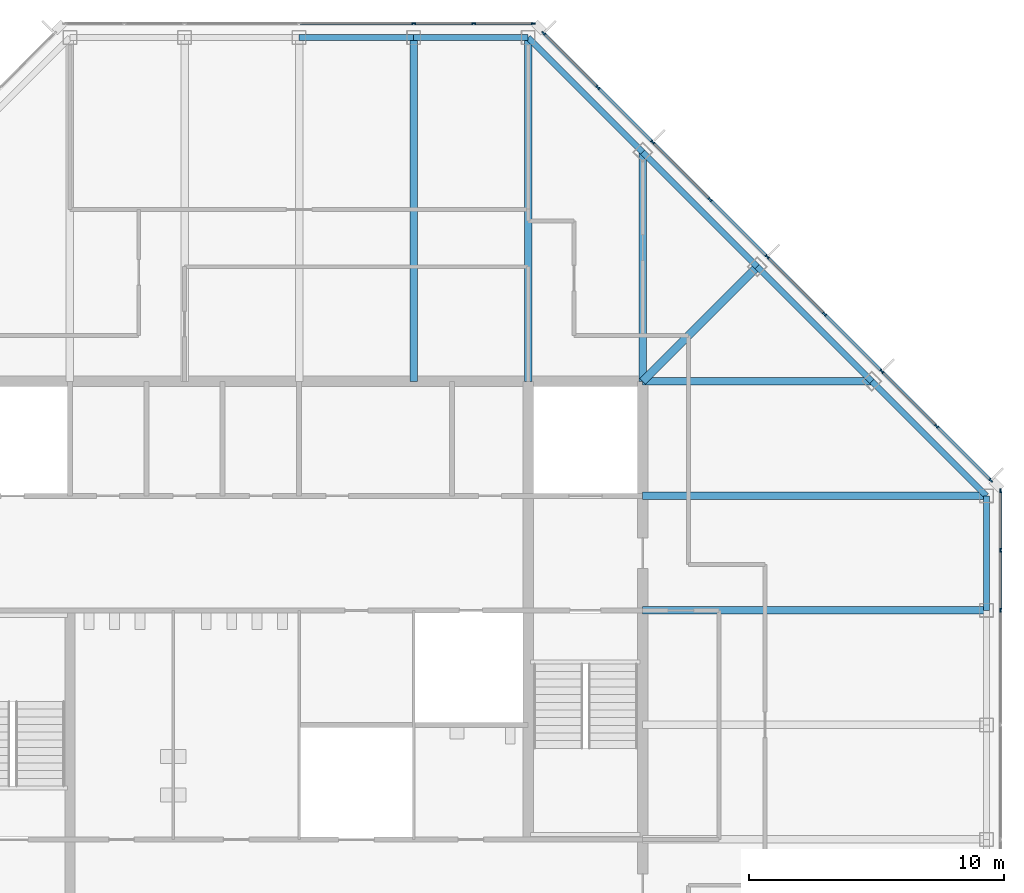
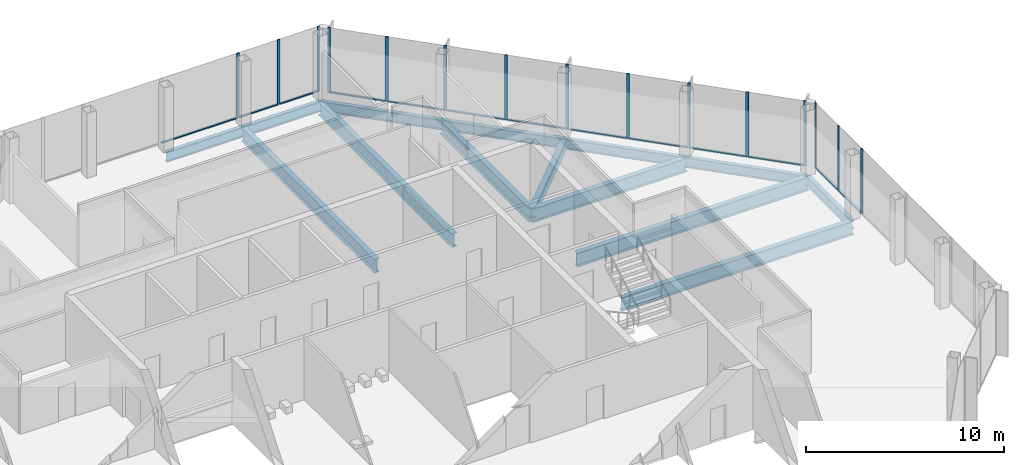
# One storey, part 7 of 13: 28 members, 14 beams, 3 elements without a shape of their own.
"""IFC4 building model written with IfcOpenShell, lengths in metres."""

from ifc_helpers import new_model, si_unit, direction, frame, origin, origin_2d, place, context, subcontext, project, spatial, rectangle, i_section, extrude, material, material_profile, profile_set, type_object, element, aggregate, save


model = new_model("IFC4")

# Units and contexts
model_context = context("Model", 3, precision=1e-05, world=origin(), true_north=direction((0.0, 1.0)))
body_context = subcontext(model_context, "Body", "Model", "MODEL_VIEW")
ifc_project = project(units=[si_unit("LENGTHUNIT", "METRE"), si_unit("AREAUNIT", "SQUARE_METRE"), si_unit("VOLUMEUNIT", "CUBIC_METRE"), si_unit("PLANEANGLEUNIT", "RADIAN"), si_unit("MASSUNIT", "GRAM", prefix="KILO")], contexts=[model_context])

# Site, building, storey
site_placement = place(None, origin())
site = spatial("IfcSite", under=ifc_project, at=site_placement, CompositionType="ELEMENT")
building_placement = place(site_placement, origin())
building = spatial("IfcBuilding", under=site, at=building_placement, Name="Corais Broadcast Tower", CompositionType="ELEMENT")
storey_placement = place(building_placement, frame((0.0, 0.0, 306.60009765625)))
storey = spatial("IfcBuildingStorey", under=building, at=storey_placement, Name="L72", CompositionType="ELEMENT", Elevation=306.60009765625)

# Beams
ifc_material_1 = material(Name="Steel ASTM A572 Grade 50", Category="steel")
ifc_material_profile_1 = material_profile(ifc_material_1, i_section(OverallWidth=0.323974609375, OverallDepth=0.611083984375, WebThickness=0.0126953125, FlangeThickness=0.01904296875, at=origin_2d()), Name="W610x155")
ifc_profile_set_1 = profile_set([ifc_material_profile_1], Name="Steel ASTM A572 Grade 50")
beam_type_1 = type_object("IfcBeamType", Name="Corner diagonal W610x155", PredefinedType="BEAM", material=ifc_profile_set_1)
beam_1_placement = place(storey_placement, frame((45.0, 45.0, -0.465576171875), z_axis=(-0.707106781187, -0.707106781187, 0.0), x_axis=(0.707106781187, -0.707106781187, 0.0)))
element("IfcBeam", 1, at=beam_1_placement, inside=storey, type_object=beam_type_1, Name="B6 L/13 to K/12", PredefinedType="BEAM", context=body_context, shape_type="SweptSolid", body=[
    extrude(i_section(OverallWidth=0.323974609375, OverallDepth=0.611083984375, WebThickness=0.0126953125, FlangeThickness=0.01904296875, at=origin_2d()), origin(), (0.0, 0.0, 1.0), 6.364013671875),
])
ifc_material_2 = material(Name="Steel ASTM A572 Grade 50", Category="steel")
ifc_material_profile_2 = material_profile(ifc_material_2, i_section(OverallWidth=0.2939453125, OverallDepth=0.85107421875, WebThickness=0.01611328125, FlangeThickness=0.02685546875, at=origin_2d()), Name="W840x226")
ifc_profile_set_2 = profile_set([ifc_material_profile_2], Name="Steel ASTM A572 Grade 50")
beam_type_2 = type_object("IfcBeamType", Name="Floor beam W840x226", PredefinedType="BEAM", material=ifc_profile_set_2)
for number, where, z_axis, x_axis, name in (
    (2, (31.5, 54.0, -0.585693359375), (0.0, -1.0, 0.0), (1.0, 0.0, 0.0), "B1 N/10 to K/10"),
    (3, (36.0, 54.0, -0.585693359375), (0.0, -1.0, 0.0), (1.0, 0.0, 0.0), "B1 N/11 to K/11"),
):
    element("IfcBeam", number, at=place(storey_placement, frame(where, z_axis=z_axis, x_axis=x_axis)), inside=storey, type_object=beam_type_2, Name=name, PredefinedType="BEAM", context=body_context, shape_type="SweptSolid", body=[
        extrude(i_section(OverallWidth=0.2939453125, OverallDepth=0.85107421875, WebThickness=0.01611328125, FlangeThickness=0.02685546875, at=origin_2d()), origin(), (0.0, 0.0, 1.0), 13.5),
    ])
for number, where, z_axis, x_axis, name in (
    (4, (40.5, 49.5, -0.585693359375), (0.0, -1.0, 0.0), (1.0, 0.0, 0.0), "B1 M/12 to K/12"),
    (5, (49.5, 40.5, -0.585693359375), (-1.0, 0.0, 0.0), (0.0, -1.0, 0.0), "B1 K/14 to K/12"),
):
    element("IfcBeam", number, at=place(storey_placement, frame(where, z_axis=z_axis, x_axis=x_axis)), inside=storey, type_object=beam_type_2, Name=name, PredefinedType="BEAM", context=body_context, shape_type="SweptSolid", body=[
        extrude(i_section(OverallWidth=0.2939453125, OverallDepth=0.85107421875, WebThickness=0.01611328125, FlangeThickness=0.02685546875, at=origin_2d()), origin(), (0.0, 0.0, 1.0), 9.0),
    ])
for number, where, z_axis, x_axis, name in (
    (6, (54.0, 31.5, -0.585693359375), (-1.0, 0.0, 0.0), (0.0, -1.0, 0.0), "B1 H/15 to H/12"),
    (7, (54.0, 36.0, -0.585693359375), (-1.0, 0.0, 0.0), (0.0, -1.0, 0.0), "B1 J/15 to J/12"),
):
    element("IfcBeam", number, at=place(storey_placement, frame(where, z_axis=z_axis, x_axis=x_axis)), inside=storey, type_object=beam_type_2, Name=name, PredefinedType="BEAM", context=body_context, shape_type="SweptSolid", body=[
        extrude(i_section(OverallWidth=0.2939453125, OverallDepth=0.85107421875, WebThickness=0.01611328125, FlangeThickness=0.02685546875, at=origin_2d()), origin(), (0.0, 0.0, 1.0), 13.5),
    ])

# Curtain wall, members
ifc_material_3 = material(Name="Aluminium and glass", Category="aluminium")
curtain_wall_type = type_object("IfcCurtainWallType", Name="Unitised fritted curtain wall CW3", PredefinedType="NOTDEFINED", material=ifc_material_3)
curtain_wall_1_placement = place(storey_placement, origin())
curtain_wall_1 = element("IfcCurtainWall", 8, at=curtain_wall_1_placement, inside=storey, type_object=curtain_wall_type, Name="CW3 curtain wall L72 4", PredefinedType="NOTDEFINED")
ifc_material_4 = material(Name="Aluminium 6063-T6", Category="aluminium")
ifc_material_profile_3 = material_profile(ifc_material_4, rectangle(XDim=0.06494140625, YDim=0.159912109375, at=origin_2d()), Name="Mullion CW3 65x160")
ifc_profile_set_3 = profile_set([ifc_material_profile_3], Name="Aluminium 6063-T6")
member_type_1 = type_object("IfcMemberType", Name="Mullion CW3 65x160", PredefinedType="MULLION", material=ifc_profile_set_3)
member_1_placement = place(storey_placement, frame((31.5, 54.550048828125, 0.0), z_axis=(0.0, 0.0, 1.0), x_axis=(0.0, 1.0, 0.0)))
member_1 = element("IfcMember", 9, at=member_1_placement, type_object=member_type_1, Name="CW3 mullion 5", PredefinedType="MULLION", context=body_context, shape_type="SweptSolid", body=[
    extrude(rectangle(XDim=0.06494140625, YDim=0.159912109375, at=origin_2d()), origin(), (0.0, 0.0, 1.0), 4.0),
])
member_2_placement = place(storey_placement, frame((33.864013671875, 54.550048828125, 0.0), z_axis=(0.0, 0.0, 1.0), x_axis=(0.0, 1.0, 0.0)))
member_2 = element("IfcMember", 10, at=member_2_placement, type_object=member_type_1, Name="CW3 mullion 6", PredefinedType="MULLION", context=body_context, shape_type="SweptSolid", body=[
    extrude(rectangle(XDim=0.06494140625, YDim=0.159912109375, at=origin_2d()), origin(), (0.0, 0.0, 1.0), 4.0),
])
member_3_placement = place(storey_placement, frame((36.1953125, 54.550048828125, 0.0), z_axis=(0.0, 0.0, 1.0), x_axis=(0.0, 1.0, 0.0)))
member_3 = element("IfcMember", 11, at=member_3_placement, type_object=member_type_1, Name="CW3 mullion 7", PredefinedType="MULLION", context=body_context, shape_type="SweptSolid", body=[
    extrude(rectangle(XDim=0.06494140625, YDim=0.159912109375, at=origin_2d()), origin(), (0.0, 0.0, 1.0), 4.0),
])

curtain_wall_2_placement = place(storey_placement, origin())
curtain_wall_2 = element("IfcCurtainWall", 12, at=curtain_wall_2_placement, inside=storey, type_object=curtain_wall_type, Name="CW3 curtain wall L72 5", PredefinedType="NOTDEFINED")
member_4_placement = place(storey_placement, frame((36.6044921875, 54.17333984375, 0.0), z_axis=(0.0, 0.0, 1.0), x_axis=(0.707106781187, 0.707106781187, 0.0)))
member_4 = element("IfcMember", 13, at=member_4_placement, type_object=member_type_1, Name="CW3 mullion 1", PredefinedType="MULLION", context=body_context, shape_type="SweptSolid", body=[
    extrude(rectangle(XDim=0.06494140625, YDim=0.159912109375, at=origin_2d()), origin(), (0.0, 0.0, 1.0), 4.0),
])
member_5_placement = place(storey_placement, frame((38.735107421875, 52.042724609375, 0.0), z_axis=(0.0, 0.0, 1.0), x_axis=(0.707106781187, 0.707106781187, 0.0)))
member_5 = element("IfcMember", 14, at=member_5_placement, type_object=member_type_1, Name="CW3 mullion 2", PredefinedType="MULLION", context=body_context, shape_type="SweptSolid", body=[
    extrude(rectangle(XDim=0.06494140625, YDim=0.159912109375, at=origin_2d()), origin(), (0.0, 0.0, 1.0), 4.0),
])
member_6_placement = place(storey_placement, frame((40.888916015625, 49.888916015625, 0.0), z_axis=(0.0, 0.0, 1.0), x_axis=(0.707106781187, 0.707106781187, 0.0)))
member_6 = element("IfcMember", 15, at=member_6_placement, type_object=member_type_1, Name="CW3 mullion 3", PredefinedType="MULLION", context=body_context, shape_type="SweptSolid", body=[
    extrude(rectangle(XDim=0.06494140625, YDim=0.159912109375, at=origin_2d()), origin(), (0.0, 0.0, 1.0), 4.0),
])
member_7_placement = place(storey_placement, frame((43.138916015625, 47.638916015625, 0.0), z_axis=(0.0, 0.0, 1.0), x_axis=(0.707106781187, 0.707106781187, 0.0)))
member_7 = element("IfcMember", 16, at=member_7_placement, type_object=member_type_1, Name="CW3 mullion 4", PredefinedType="MULLION", context=body_context, shape_type="SweptSolid", body=[
    extrude(rectangle(XDim=0.06494140625, YDim=0.159912109375, at=origin_2d()), origin(), (0.0, 0.0, 1.0), 4.0),
])
member_8_placement = place(storey_placement, frame((45.388916015625, 45.388916015625, 0.0), z_axis=(0.0, 0.0, 1.0), x_axis=(0.707106781187, 0.707106781187, 0.0)))
member_8 = element("IfcMember", 17, at=member_8_placement, type_object=member_type_1, Name="CW3 mullion 5", PredefinedType="MULLION", context=body_context, shape_type="SweptSolid", body=[
    extrude(rectangle(XDim=0.06494140625, YDim=0.159912109375, at=origin_2d()), origin(), (0.0, 0.0, 1.0), 4.0),
])
member_9_placement = place(storey_placement, frame((47.638916015625, 43.138916015625, 0.0), z_axis=(0.0, 0.0, 1.0), x_axis=(0.707106781187, 0.707106781187, 0.0)))
member_9 = element("IfcMember", 18, at=member_9_placement, type_object=member_type_1, Name="CW3 mullion 6", PredefinedType="MULLION", context=body_context, shape_type="SweptSolid", body=[
    extrude(rectangle(XDim=0.06494140625, YDim=0.159912109375, at=origin_2d()), origin(), (0.0, 0.0, 1.0), 4.0),
])
member_10_placement = place(storey_placement, frame((49.888916015625, 40.888916015625, 0.0), z_axis=(0.0, 0.0, 1.0), x_axis=(0.707106781187, 0.707106781187, 0.0)))
member_10 = element("IfcMember", 19, at=member_10_placement, type_object=member_type_1, Name="CW3 mullion 7", PredefinedType="MULLION", context=body_context, shape_type="SweptSolid", body=[
    extrude(rectangle(XDim=0.06494140625, YDim=0.159912109375, at=origin_2d()), origin(), (0.0, 0.0, 1.0), 4.0),
])
member_11_placement = place(storey_placement, frame((52.042724609375, 38.735107421875, 0.0), z_axis=(0.0, 0.0, 1.0), x_axis=(0.707106781187, 0.707106781187, 0.0)))
member_11 = element("IfcMember", 20, at=member_11_placement, type_object=member_type_1, Name="CW3 mullion 8", PredefinedType="MULLION", context=body_context, shape_type="SweptSolid", body=[
    extrude(rectangle(XDim=0.06494140625, YDim=0.159912109375, at=origin_2d()), origin(), (0.0, 0.0, 1.0), 4.0),
])
member_12_placement = place(storey_placement, frame((54.17333984375, 36.6044921875, 0.0), z_axis=(0.0, 0.0, 1.0), x_axis=(0.707106781187, 0.707106781187, 0.0)))
member_12 = element("IfcMember", 21, at=member_12_placement, type_object=member_type_1, Name="CW3 mullion 9", PredefinedType="MULLION", context=body_context, shape_type="SweptSolid", body=[
    extrude(rectangle(XDim=0.06494140625, YDim=0.159912109375, at=origin_2d()), origin(), (0.0, 0.0, 1.0), 4.0),
])

curtain_wall_3_placement = place(storey_placement, origin())
curtain_wall_3 = element("IfcCurtainWall", 22, at=curtain_wall_3_placement, inside=storey, type_object=curtain_wall_type, Name="CW3 curtain wall L72 6", PredefinedType="NOTDEFINED")
member_13_placement = place(storey_placement, frame((54.550048828125, 36.1953125, 0.0), z_axis=(0.0, 0.0, 1.0), x_axis=(1.0, 0.0, 0.0)))
member_13 = element("IfcMember", 23, at=member_13_placement, type_object=member_type_1, Name="CW3 mullion 1", PredefinedType="MULLION", context=body_context, shape_type="SweptSolid", body=[
    extrude(rectangle(XDim=0.06494140625, YDim=0.159912109375, at=origin_2d()), origin(), (0.0, 0.0, 1.0), 4.0),
])
member_14_placement = place(storey_placement, frame((54.550048828125, 33.864013671875, 0.0), z_axis=(0.0, 0.0, 1.0), x_axis=(1.0, 0.0, 0.0)))
member_14 = element("IfcMember", 24, at=member_14_placement, type_object=member_type_1, Name="CW3 mullion 2", PredefinedType="MULLION", context=body_context, shape_type="SweptSolid", body=[
    extrude(rectangle(XDim=0.06494140625, YDim=0.159912109375, at=origin_2d()), origin(), (0.0, 0.0, 1.0), 4.0),
])
member_15_placement = place(storey_placement, frame((54.550048828125, 31.5, 0.0), z_axis=(0.0, 0.0, 1.0), x_axis=(1.0, 0.0, 0.0)))
member_15 = element("IfcMember", 25, at=member_15_placement, type_object=member_type_1, Name="CW3 mullion 3", PredefinedType="MULLION", context=body_context, shape_type="SweptSolid", body=[
    extrude(rectangle(XDim=0.06494140625, YDim=0.159912109375, at=origin_2d()), origin(), (0.0, 0.0, 1.0), 4.0),
])

# Beams
ifc_material_5 = material(Name="Steel ASTM A572 Grade 50", Category="steel")
ifc_material_profile_4 = material_profile(ifc_material_5, i_section(OverallWidth=0.22998046875, OverallDepth=0.616943359375, WebThickness=0.01318359375, FlangeThickness=0.022216796875, at=origin_2d()), Name="W610x140")
ifc_profile_set_4 = profile_set([ifc_material_profile_4], Name="Steel ASTM A572 Grade 50")
beam_type_3 = type_object("IfcBeamType", Name="Spandrel W610x140", PredefinedType="BEAM", material=ifc_profile_set_4)
for number, where, z_axis, x_axis, name in (
    (26, (31.5, 54.0, -0.468505859375), (-1.0, 0.0, 0.0), (0.0, -1.0, 0.0), "SB3 N/10 to N/9"),
    (27, (36.0, 54.0, -0.468505859375), (-1.0, 0.0, 0.0), (0.0, -1.0, 0.0), "SB3 N/11 to N/10"),
):
    element("IfcBeam", number, at=place(storey_placement, frame(where, z_axis=z_axis, x_axis=x_axis)), inside=storey, type_object=beam_type_3, Name=name, PredefinedType="BEAM", context=body_context, shape_type="SweptSolid", body=[
        extrude(i_section(OverallWidth=0.22998046875, OverallDepth=0.616943359375, WebThickness=0.01318359375, FlangeThickness=0.022216796875, at=origin_2d()), origin(), (0.0, 0.0, 1.0), 4.5),
    ])
for number, where, z_axis, x_axis, name in (
    (28, (40.5, 49.5, -0.468505859375), (-0.707106781187, 0.707106781187, 0.0), (-0.707106781187, -0.707106781187, 0.0), "SB3 M/12 to N/11"),
    (29, (45.0, 45.0, -0.468505859375), (-0.707106781187, 0.707106781187, 0.0), (-0.707106781187, -0.707106781187, 0.0), "SB3 L/13 to M/12"),
    (30, (49.5, 40.5, -0.468505859375), (-0.707106781187, 0.707106781187, 0.0), (-0.707106781187, -0.707106781187, 0.0), "SB3 K/14 to L/13"),
):
    element("IfcBeam", number, at=place(storey_placement, frame(where, z_axis=z_axis, x_axis=x_axis)), inside=storey, type_object=beam_type_3, Name=name, PredefinedType="BEAM", context=body_context, shape_type="SweptSolid", body=[
        extrude(i_section(OverallWidth=0.22998046875, OverallDepth=0.616943359375, WebThickness=0.01318359375, FlangeThickness=0.022216796875, at=origin_2d()), origin(), (0.0, 0.0, 1.0), 6.364013671875),
    ])
beam_2_placement = place(storey_placement, frame((54.0, 31.5, -0.468505859375), z_axis=(0.0, 1.0, 0.0), x_axis=(-1.0, 0.0, 0.0)))
element("IfcBeam", 31, at=beam_2_placement, inside=storey, type_object=beam_type_3, Name="SB3 H/15 to J/15", PredefinedType="BEAM", context=body_context, shape_type="SweptSolid", body=[
    extrude(i_section(OverallWidth=0.22998046875, OverallDepth=0.616943359375, WebThickness=0.01318359375, FlangeThickness=0.022216796875, at=origin_2d()), origin(), (0.0, 0.0, 1.0), 4.5),
])
beam_3_placement = place(storey_placement, frame((54.0, 36.0, -0.468505859375), z_axis=(-0.707106781187, 0.707106781187, 0.0), x_axis=(-0.707106781187, -0.707106781187, 0.0)))
element("IfcBeam", 32, at=beam_3_placement, inside=storey, type_object=beam_type_3, Name="SB3 J/15 to K/14", PredefinedType="BEAM", context=body_context, shape_type="SweptSolid", body=[
    extrude(i_section(OverallWidth=0.22998046875, OverallDepth=0.616943359375, WebThickness=0.01318359375, FlangeThickness=0.022216796875, at=origin_2d()), origin(), (0.0, 0.0, 1.0), 6.364013671875),
])

# Member
ifc_material_6 = material(Name="Aluminium 6063-T6", Category="aluminium")
ifc_material_profile_5 = material_profile(ifc_material_6, rectangle(XDim=0.1201171875, YDim=0.06494140625, at=origin_2d()), Name="Transom CW3 65x120")
ifc_profile_set_5 = profile_set([ifc_material_profile_5], Name="Aluminium 6063-T6")
member_type_2 = type_object("IfcMemberType", Name="Transom CW3 65x120", PredefinedType="USERDEFINED", material=ifc_profile_set_5)
member_16_placement = place(storey_placement, frame((27.032470703125, 54.550048828125, 0.032470703125), z_axis=(1.0, 0.0, 0.0), x_axis=(0.0, 1.0, 0.0)))
member_16 = element("IfcMember", 33, at=member_16_placement, type_object=member_type_2, Name="CW3 transom 4.1", ObjectType="TRANSOM", PredefinedType="USERDEFINED", context=body_context, shape_type="SweptSolid", body=[
    extrude(rectangle(XDim=0.1201171875, YDim=0.06494140625, at=origin_2d()), origin(), (0.0, 0.0, 1.0), 4.43505859375),
])

member_17_placement = place(storey_placement, frame((31.532470703125, 54.550048828125, 0.032470703125), z_axis=(1.0, 0.0, 0.0), x_axis=(0.0, 1.0, 0.0)))
member_17 = element("IfcMember", 34, at=member_17_placement, type_object=member_type_2, Name="CW3 transom 5.1", ObjectType="TRANSOM", PredefinedType="USERDEFINED", context=body_context, shape_type="SweptSolid", body=[
    extrude(rectangle(XDim=0.1201171875, YDim=0.06494140625, at=origin_2d()), origin(), (0.0, 0.0, 1.0), 2.298828125),
])

member_18_placement = place(storey_placement, frame((33.896484375, 54.550048828125, 0.032470703125), z_axis=(1.0, 0.0, 0.0), x_axis=(0.0, 1.0, 0.0)))
member_18 = element("IfcMember", 35, at=member_18_placement, type_object=member_type_2, Name="CW3 transom 6.1", ObjectType="TRANSOM", PredefinedType="USERDEFINED", context=body_context, shape_type="SweptSolid", body=[
    extrude(rectangle(XDim=0.1201171875, YDim=0.06494140625, at=origin_2d()), origin(), (0.0, 0.0, 1.0), 2.266357421875),
])

aggregate(curtain_wall_1, [member_1, member_2, member_3, member_16, member_17, member_18])

member_19_placement = place(storey_placement, frame((36.62744140625, 54.150390625, 0.032470703125), z_axis=(0.707106781187, -0.707106781187, 0.0), x_axis=(0.707106781187, 0.707106781187, 0.0)))
member_19 = element("IfcMember", 36, at=member_19_placement, type_object=member_type_2, Name="CW3 transom 1.1", ObjectType="TRANSOM", PredefinedType="USERDEFINED", context=body_context, shape_type="SweptSolid", body=[
    extrude(rectangle(XDim=0.1201171875, YDim=0.06494140625, at=origin_2d()), origin(), (0.0, 0.0, 1.0), 2.9482421875),
])

member_20_placement = place(storey_placement, frame((38.758056640625, 52.019775390625, 0.032470703125), z_axis=(0.707106781187, -0.707106781187, 0.0), x_axis=(0.707106781187, 0.707106781187, 0.0)))
member_20 = element("IfcMember", 37, at=member_20_placement, type_object=member_type_2, Name="CW3 transom 2.1", ObjectType="TRANSOM", PredefinedType="USERDEFINED", context=body_context, shape_type="SweptSolid", body=[
    extrude(rectangle(XDim=0.1201171875, YDim=0.06494140625, at=origin_2d()), origin(), (0.0, 0.0, 1.0), 2.98095703125),
])

member_21_placement = place(storey_placement, frame((40.911865234375, 49.865966796875, 0.032470703125), z_axis=(0.707106781187, -0.707106781187, 0.0), x_axis=(0.707106781187, 0.707106781187, 0.0)))
member_21 = element("IfcMember", 38, at=member_21_placement, type_object=member_type_2, Name="CW3 transom 3.1", ObjectType="TRANSOM", PredefinedType="USERDEFINED", context=body_context, shape_type="SweptSolid", body=[
    extrude(rectangle(XDim=0.1201171875, YDim=0.06494140625, at=origin_2d()), origin(), (0.0, 0.0, 1.0), 3.1171875),
])

member_22_placement = place(storey_placement, frame((43.161865234375, 47.615966796875, 0.032470703125), z_axis=(0.707106781187, -0.707106781187, 0.0), x_axis=(0.707106781187, 0.707106781187, 0.0)))
member_22 = element("IfcMember", 39, at=member_22_placement, type_object=member_type_2, Name="CW3 transom 4.1", ObjectType="TRANSOM", PredefinedType="USERDEFINED", context=body_context, shape_type="SweptSolid", body=[
    extrude(rectangle(XDim=0.1201171875, YDim=0.06494140625, at=origin_2d()), origin(), (0.0, 0.0, 1.0), 3.1171875),
])

member_23_placement = place(storey_placement, frame((45.411865234375, 45.365966796875, 0.032470703125), z_axis=(0.707106781187, -0.707106781187, 0.0), x_axis=(0.707106781187, 0.707106781187, 0.0)))
member_23 = element("IfcMember", 40, at=member_23_placement, type_object=member_type_2, Name="CW3 transom 5.1", ObjectType="TRANSOM", PredefinedType="USERDEFINED", context=body_context, shape_type="SweptSolid", body=[
    extrude(rectangle(XDim=0.1201171875, YDim=0.06494140625, at=origin_2d()), origin(), (0.0, 0.0, 1.0), 3.1171875),
])

member_24_placement = place(storey_placement, frame((47.661865234375, 43.115966796875, 0.032470703125), z_axis=(0.707106781187, -0.707106781187, 0.0), x_axis=(0.707106781187, 0.707106781187, 0.0)))
member_24 = element("IfcMember", 41, at=member_24_placement, type_object=member_type_2, Name="CW3 transom 6.1", ObjectType="TRANSOM", PredefinedType="USERDEFINED", context=body_context, shape_type="SweptSolid", body=[
    extrude(rectangle(XDim=0.1201171875, YDim=0.06494140625, at=origin_2d()), origin(), (0.0, 0.0, 1.0), 3.1171875),
])

member_25_placement = place(storey_placement, frame((49.911865234375, 40.865966796875, 0.032470703125), z_axis=(0.707065828661, -0.70714773134, 0.0), x_axis=(0.70714773134, 0.707065828661, 0.0)))
member_25 = element("IfcMember", 42, at=member_25_placement, type_object=member_type_2, Name="CW3 transom 7.1", ObjectType="TRANSOM", PredefinedType="USERDEFINED", context=body_context, shape_type="SweptSolid", body=[
    extrude(rectangle(XDim=0.1201171875, YDim=0.06494140625, at=origin_2d()), origin(), (0.0, 0.0, 1.0), 2.98095703125),
])

member_26_placement = place(storey_placement, frame((52.065673828125, 38.712158203125, 0.032470703125), z_axis=(0.707106781187, -0.707106781187, 0.0), x_axis=(0.707106781187, 0.707106781187, 0.0)))
member_26 = element("IfcMember", 43, at=member_26_placement, type_object=member_type_2, Name="CW3 transom 8.1", ObjectType="TRANSOM", PredefinedType="USERDEFINED", context=body_context, shape_type="SweptSolid", body=[
    extrude(rectangle(XDim=0.1201171875, YDim=0.06494140625, at=origin_2d()), origin(), (0.0, 0.0, 1.0), 2.9482421875),
])

aggregate(curtain_wall_2, [member_4, member_5, member_6, member_7, member_8, member_9, member_10, member_11, member_12, member_19, member_20, member_21, member_22, member_23, member_24, member_25, member_26])

member_27_placement = place(storey_placement, frame((54.550048828125, 36.162841796875, 0.032470703125), z_axis=(0.0, -1.0, 0.0), x_axis=(1.0, 0.0, 0.0)))
member_27 = element("IfcMember", 44, at=member_27_placement, type_object=member_type_2, Name="CW3 transom 1.1", ObjectType="TRANSOM", PredefinedType="USERDEFINED", context=body_context, shape_type="SweptSolid", body=[
    extrude(rectangle(XDim=0.1201171875, YDim=0.06494140625, at=origin_2d()), origin(), (0.0, 0.0, 1.0), 2.266357421875),
])

member_28_placement = place(storey_placement, frame((54.550048828125, 33.831298828125, 0.032470703125), z_axis=(0.0, -1.0, 0.0), x_axis=(1.0, 0.0, 0.0)))
member_28 = element("IfcMember", 45, at=member_28_placement, type_object=member_type_2, Name="CW3 transom 2.1", ObjectType="TRANSOM", PredefinedType="USERDEFINED", context=body_context, shape_type="SweptSolid", body=[
    extrude(rectangle(XDim=0.1201171875, YDim=0.06494140625, at=origin_2d()), origin(), (0.0, 0.0, 1.0), 2.298828125),
])

aggregate(curtain_wall_3, [member_13, member_14, member_15, member_27, member_28])

save(model, "model.ifc")
